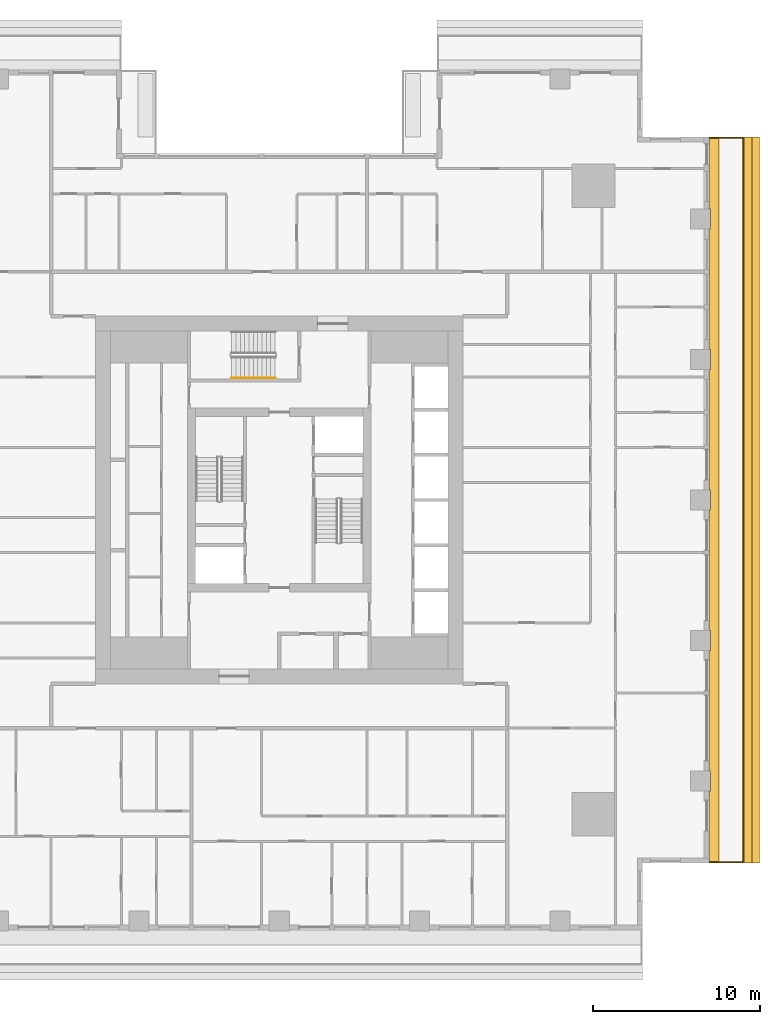
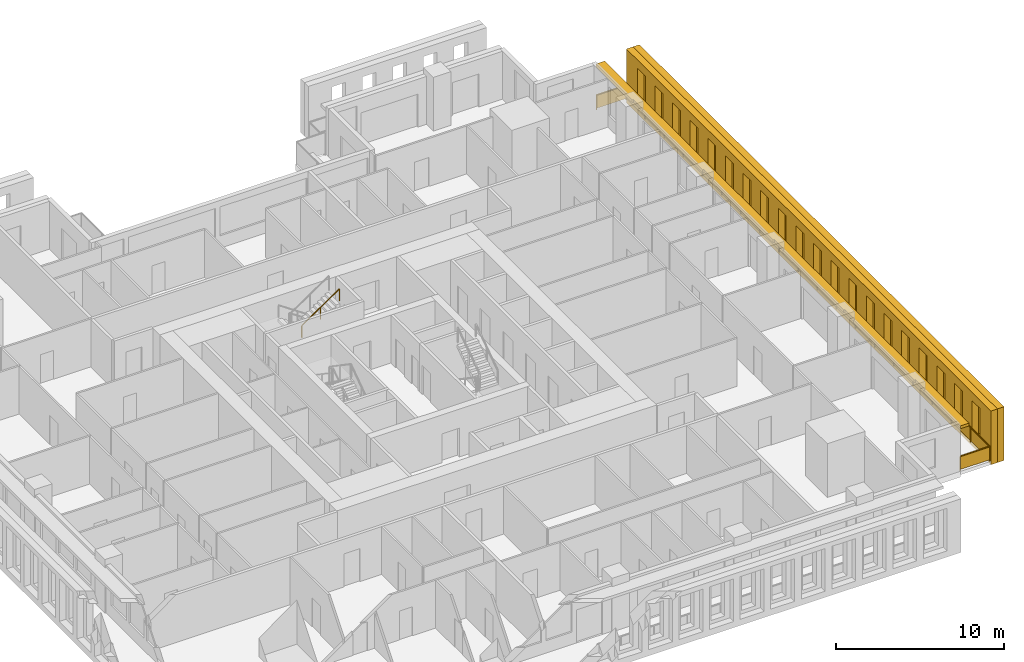
# One storey, part 14 of 16: 3 shading devices, 2 railings.
"""IFC4 building model written with IfcOpenShell, lengths in metres."""

from ifc_helpers import new_model, si_unit, direction, frame, origin, origin_2d, place, context, subcontext, project, spatial, polyline, rectangle, outline, extrude, material, layer, layer_set, type_object, element, save


model = new_model("IFC4")

# Units and contexts
model_context = context("Model", 3, precision=1e-05, world=origin(), true_north=direction((0.0, 1.0)))
body_context = subcontext(model_context, "Body", "Model", "MODEL_VIEW")
ifc_project = project(units=[si_unit("LENGTHUNIT", "METRE"), si_unit("AREAUNIT", "SQUARE_METRE"), si_unit("VOLUMEUNIT", "CUBIC_METRE"), si_unit("PLANEANGLEUNIT", "RADIAN"), si_unit("MASSUNIT", "GRAM", prefix="KILO")], contexts=[model_context])

# Site, building, storey
site_placement = place(None, origin())
site = spatial("IfcSite", under=ifc_project, at=site_placement, CompositionType="ELEMENT")
building_placement = place(site_placement, origin())
building = spatial("IfcBuilding", under=site, at=building_placement, Name="Khepri Terraces", CompositionType="ELEMENT")
storey_placement = place(building_placement, frame((0.0, 0.0, 157.199951171875)))
storey = spatial("IfcBuildingStorey", under=building, at=storey_placement, Name="L37", CompositionType="ELEMENT", Elevation=157.199951171875)

# Railings
ifc_material_1 = material(Name="Stainless steel grade 316", Category="steel")
railing_type_1 = type_object("IfcRailingType", Name="GRD-BAL-1100", PredefinedType="GUARDRAIL", material=ifc_material_1)
railing_1_placement = place(storey_placement, frame((25.719970703125, -21.669921875, 0.0)))
element("IfcRailing", 1, at=railing_1_placement, inside=storey, type_object=railing_type_1, Name="Balcony guard L37 E", PredefinedType="GUARDRAIL", context=body_context, shape_type="SweptSolid", body=[
    extrude(rectangle(XDim=0.050048828125, YDim=0.06005859375, at=origin_2d()), frame((0.0, 0.0, 1.070068359375), z_axis=(1.0, 0.0, 0.0), x_axis=(0.0, 1.0, 0.0)), (0.0, 0.0, 1.0), 2.050048828125),
    extrude(rectangle(XDim=2.0, YDim=0.011962890625, at=origin_2d()), frame((1.02490234375, 0.0, 0.10009765625), z_axis=(0.0, 0.0, 1.0), x_axis=(1.0, 0.0, 0.0)), (0.0, 0.0, 1.0), 0.93994140625),
    extrude(rectangle(XDim=0.050048828125, YDim=0.06005859375, at=origin_2d()), frame((2.050048828125, 0.0, 1.070068359375), z_axis=(0.0, 1.0, 0.0), x_axis=(-1.0, 0.0, 0.0)), (0.0, 0.0, 1.0), 43.33984375),
    extrude(rectangle(XDim=2.23095703125, YDim=0.011962890625, at=origin_2d()), frame((2.050048828125, 1.140625, 0.10009765625), z_axis=(0.0, 0.0, 1.0), x_axis=(0.0, 1.0, 0.0)), (0.0, 0.0, 1.0), 0.93994140625),
    extrude(rectangle(XDim=2.23095703125, YDim=0.011962890625, at=origin_2d()), frame((2.050048828125, 3.421630859375, 0.10009765625), z_axis=(0.0, 0.0, 1.0), x_axis=(0.0, 1.0, 0.0)), (0.0, 0.0, 1.0), 0.93994140625),
    extrude(rectangle(XDim=2.23095703125, YDim=0.011962890625, at=origin_2d()), frame((2.050048828125, 5.70263671875, 0.10009765625), z_axis=(0.0, 0.0, 1.0), x_axis=(0.0, 1.0, 0.0)), (0.0, 0.0, 1.0), 0.93994140625),
    extrude(rectangle(XDim=2.23095703125, YDim=0.011962890625, at=origin_2d()), frame((2.050048828125, 7.983642578125, 0.10009765625), z_axis=(0.0, 0.0, 1.0), x_axis=(0.0, 1.0, 0.0)), (0.0, 0.0, 1.0), 0.93994140625),
    extrude(rectangle(XDim=2.23095703125, YDim=0.011962890625, at=origin_2d()), frame((2.050048828125, 10.2646484375, 0.10009765625), z_axis=(0.0, 0.0, 1.0), x_axis=(0.0, 1.0, 0.0)), (0.0, 0.0, 1.0), 0.93994140625),
    extrude(rectangle(XDim=2.23095703125, YDim=0.011962890625, at=origin_2d()), frame((2.050048828125, 12.545654296875, 0.10009765625), z_axis=(0.0, 0.0, 1.0), x_axis=(0.0, 1.0, 0.0)), (0.0, 0.0, 1.0), 0.93994140625),
    extrude(rectangle(XDim=2.23095703125, YDim=0.011962890625, at=origin_2d()), frame((2.050048828125, 14.826904296875, 0.10009765625), z_axis=(0.0, 0.0, 1.0), x_axis=(0.0, 1.0, 0.0)), (0.0, 0.0, 1.0), 0.93994140625),
    extrude(rectangle(XDim=2.23095703125, YDim=0.011962890625, at=origin_2d()), frame((2.050048828125, 17.10791015625, 0.10009765625), z_axis=(0.0, 0.0, 1.0), x_axis=(0.0, 1.0, 0.0)), (0.0, 0.0, 1.0), 0.93994140625),
    extrude(rectangle(XDim=2.23095703125, YDim=0.011962890625, at=origin_2d()), frame((2.050048828125, 19.388916015625, 0.10009765625), z_axis=(0.0, 0.0, 1.0), x_axis=(0.0, 1.0, 0.0)), (0.0, 0.0, 1.0), 0.93994140625),
    extrude(rectangle(XDim=2.23095703125, YDim=0.011962890625, at=origin_2d()), frame((2.050048828125, 21.669921875, 0.10009765625), z_axis=(0.0, 0.0, 1.0), x_axis=(0.0, 1.0, 0.0)), (0.0, 0.0, 1.0), 0.93994140625),
    extrude(rectangle(XDim=2.23095703125, YDim=0.011962890625, at=origin_2d()), frame((2.050048828125, 23.950927734375, 0.10009765625), z_axis=(0.0, 0.0, 1.0), x_axis=(0.0, 1.0, 0.0)), (0.0, 0.0, 1.0), 0.93994140625),
    extrude(rectangle(XDim=2.23095703125, YDim=0.011962890625, at=origin_2d()), frame((2.050048828125, 26.23193359375, 0.10009765625), z_axis=(0.0, 0.0, 1.0), x_axis=(0.0, 1.0, 0.0)), (0.0, 0.0, 1.0), 0.93994140625),
    extrude(rectangle(XDim=2.23095703125, YDim=0.011962890625, at=origin_2d()), frame((2.050048828125, 28.512939453125, 0.10009765625), z_axis=(0.0, 0.0, 1.0), x_axis=(0.0, 1.0, 0.0)), (0.0, 0.0, 1.0), 0.93994140625),
    extrude(rectangle(XDim=2.23095703125, YDim=0.011962890625, at=origin_2d()), frame((2.050048828125, 30.794189453125, 0.10009765625), z_axis=(0.0, 0.0, 1.0), x_axis=(0.0, 1.0, 0.0)), (0.0, 0.0, 1.0), 0.93994140625),
    extrude(rectangle(XDim=2.23095703125, YDim=0.011962890625, at=origin_2d()), frame((2.050048828125, 33.0751953125, 0.10009765625), z_axis=(0.0, 0.0, 1.0), x_axis=(0.0, 1.0, 0.0)), (0.0, 0.0, 1.0), 0.93994140625),
    extrude(rectangle(XDim=2.23095703125, YDim=0.011962890625, at=origin_2d()), frame((2.050048828125, 35.356201171875, 0.10009765625), z_axis=(0.0, 0.0, 1.0), x_axis=(0.0, 1.0, 0.0)), (0.0, 0.0, 1.0), 0.93994140625),
    extrude(rectangle(XDim=2.23095703125, YDim=0.011962890625, at=origin_2d()), frame((2.050048828125, 37.63720703125, 0.10009765625), z_axis=(0.0, 0.0, 1.0), x_axis=(0.0, 1.0, 0.0)), (0.0, 0.0, 1.0), 0.93994140625),
    extrude(rectangle(XDim=2.23095703125, YDim=0.011962890625, at=origin_2d()), frame((2.050048828125, 39.918212890625, 0.10009765625), z_axis=(0.0, 0.0, 1.0), x_axis=(0.0, 1.0, 0.0)), (0.0, 0.0, 1.0), 0.93994140625),
    extrude(rectangle(XDim=2.23095703125, YDim=0.011962890625, at=origin_2d()), frame((2.050048828125, 42.19921875, 0.10009765625), z_axis=(0.0, 0.0, 1.0), x_axis=(0.0, 1.0, 0.0)), (0.0, 0.0, 1.0), 0.93994140625),
    extrude(rectangle(XDim=0.050048828125, YDim=0.06005859375, at=origin_2d()), frame((2.050048828125, 43.33984375, 1.070068359375), z_axis=(-1.0, 0.0, 0.0), x_axis=(0.0, -1.0, 0.0)), (0.0, 0.0, 1.0), 2.050048828125),
    extrude(rectangle(XDim=2.0, YDim=0.011962890625, at=origin_2d()), frame((1.02490234375, 43.33984375, 0.10009765625), z_axis=(0.0, 0.0, 1.0), x_axis=(-1.0, 0.0, 0.0)), (0.0, 0.0, 1.0), 0.93994140625),
    extrude(rectangle(XDim=0.050048828125, YDim=0.050048828125, at=origin_2d()), origin(), (0.0, 0.0, 1.0), 1.0400390625),
    extrude(rectangle(XDim=0.050048828125, YDim=0.050048828125, at=origin_2d()), frame((2.050048828125, 0.0, 0.0)), (0.0, 0.0, 1.0), 1.0400390625),
    extrude(rectangle(XDim=0.050048828125, YDim=0.050048828125, at=origin_2d()), frame((2.050048828125, 2.281005859375, 0.0)), (0.0, 0.0, 1.0), 1.0400390625),
    extrude(rectangle(XDim=0.050048828125, YDim=0.050048828125, at=origin_2d()), frame((2.050048828125, 4.56201171875, 0.0)), (0.0, 0.0, 1.0), 1.0400390625),
    extrude(rectangle(XDim=0.050048828125, YDim=0.050048828125, at=origin_2d()), frame((2.050048828125, 6.843017578125, 0.0)), (0.0, 0.0, 1.0), 1.0400390625),
    extrude(rectangle(XDim=0.050048828125, YDim=0.050048828125, at=origin_2d()), frame((2.050048828125, 9.124267578125, 0.0)), (0.0, 0.0, 1.0), 1.0400390625),
    extrude(rectangle(XDim=0.050048828125, YDim=0.050048828125, at=origin_2d()), frame((2.050048828125, 11.4052734375, 0.0)), (0.0, 0.0, 1.0), 1.0400390625),
    extrude(rectangle(XDim=0.050048828125, YDim=0.050048828125, at=origin_2d()), frame((2.050048828125, 13.686279296875, 0.0)), (0.0, 0.0, 1.0), 1.0400390625),
    extrude(rectangle(XDim=0.050048828125, YDim=0.050048828125, at=origin_2d()), frame((2.050048828125, 15.96728515625, 0.0)), (0.0, 0.0, 1.0), 1.0400390625),
    extrude(rectangle(XDim=0.050048828125, YDim=0.050048828125, at=origin_2d()), frame((2.050048828125, 18.248291015625, 0.0)), (0.0, 0.0, 1.0), 1.0400390625),
    extrude(rectangle(XDim=0.050048828125, YDim=0.050048828125, at=origin_2d()), frame((2.050048828125, 20.529296875, 0.0)), (0.0, 0.0, 1.0), 1.0400390625),
    extrude(rectangle(XDim=0.050048828125, YDim=0.050048828125, at=origin_2d()), frame((2.050048828125, 22.810546875, 0.0)), (0.0, 0.0, 1.0), 1.0400390625),
    extrude(rectangle(XDim=0.050048828125, YDim=0.050048828125, at=origin_2d()), frame((2.050048828125, 25.091552734375, 0.0)), (0.0, 0.0, 1.0), 1.0400390625),
    extrude(rectangle(XDim=0.050048828125, YDim=0.050048828125, at=origin_2d()), frame((2.050048828125, 27.37255859375, 0.0)), (0.0, 0.0, 1.0), 1.0400390625),
    extrude(rectangle(XDim=0.050048828125, YDim=0.050048828125, at=origin_2d()), frame((2.050048828125, 29.653564453125, 0.0)), (0.0, 0.0, 1.0), 1.0400390625),
    extrude(rectangle(XDim=0.050048828125, YDim=0.050048828125, at=origin_2d()), frame((2.050048828125, 31.9345703125, 0.0)), (0.0, 0.0, 1.0), 1.0400390625),
    extrude(rectangle(XDim=0.050048828125, YDim=0.050048828125, at=origin_2d()), frame((2.050048828125, 34.215576171875, 0.0)), (0.0, 0.0, 1.0), 1.0400390625),
    extrude(rectangle(XDim=0.050048828125, YDim=0.050048828125, at=origin_2d()), frame((2.050048828125, 36.496826171875, 0.0)), (0.0, 0.0, 1.0), 1.0400390625),
    extrude(rectangle(XDim=0.050048828125, YDim=0.050048828125, at=origin_2d()), frame((2.050048828125, 38.77783203125, 0.0)), (0.0, 0.0, 1.0), 1.0400390625),
    extrude(rectangle(XDim=0.050048828125, YDim=0.050048828125, at=origin_2d()), frame((2.050048828125, 41.058837890625, 0.0)), (0.0, 0.0, 1.0), 1.0400390625),
    extrude(rectangle(XDim=0.050048828125, YDim=0.050048828125, at=origin_2d()), frame((2.050048828125, 43.33984375, 0.0)), (0.0, 0.0, 1.0), 1.0400390625),
    extrude(rectangle(XDim=0.050048828125, YDim=0.050048828125, at=origin_2d()), frame((0.0, 43.33984375, 0.0)), (0.0, 0.0, 1.0), 1.0400390625),
])
ifc_material_2 = material(Name="Stainless steel 316", Category="steel")
railing_type_2 = type_object("IfcRailingType", Name="RL-CORE-HANDRAIL", PredefinedType="HANDRAIL", material=ifc_material_2)
railing_2_placement = place(storey_placement, frame((-2.85009765625, 7.300048828125, 2.12744140625)))
element("IfcRailing", 2, at=railing_2_placement, inside=storey, type_object=railing_type_2, Name="L37 ST-3 stair handrail 2", PredefinedType="HANDRAIL", context=body_context, shape_type="SweptSolid", body=[
    extrude(rectangle(XDim=0.050048828125, YDim=0.050048828125, at=origin_2d()), frame((0.0, 0.0, 0.875), z_axis=(0.826240473404, 0.0, 0.563317565952), x_axis=(0.0, 1.0, 0.0)), (0.0, 0.0, 1.0), 3.14697265625),
    extrude(rectangle(XDim=0.050048828125, YDim=0.050048828125, at=origin_2d()), origin(), (0.0, 0.0, 1.0), 0.849853515625),
    extrude(rectangle(XDim=0.050048828125, YDim=0.050048828125, at=origin_2d()), frame((1.300048828125, 0.0, 0.88623046875)), (0.0, 0.0, 1.0), 0.849853515625),
    extrude(rectangle(XDim=0.050048828125, YDim=0.050048828125, at=origin_2d()), frame((2.60009765625, 0.0, 1.772705078125)), (0.0, 0.0, 1.0), 0.849853515625),
])

# Shading devices
ifc_material_3 = material(Name="Precast concrete C50/60 warm stone", Category="masonry")
shading_device_type_1 = type_object("IfcShadingDeviceType", Name="SCR-CELL-INNER-450", PredefinedType="USERDEFINED", material=ifc_material_3)
shading_device_1_placement = place(storey_placement, frame((27.820068359375, -21.719970703125, -0.25), z_axis=(1.0, 0.0, 0.0), x_axis=(0.0, 1.0, 0.0)))
element("IfcShadingDevice", 3, at=shading_device_1_placement, inside=storey, type_object=shading_device_type_1, Name="Cell screen L37 E in", ObjectType="SCREEN", PredefinedType="USERDEFINED", context=body_context, shape_type="SweptSolid", body=[
    extrude(outline(polyline([(0.0, 0.0), (43.43994140625, 0.0), (43.43994140625, 3.89990234375), (0.0, 3.89990234375), (0.0, 0.0)]), holes=[polyline([(1.297607421875, 0.699951171875), (2.242431640625, 0.699951171875), (2.242431640625, 3.300048828125), (1.297607421875, 3.300048828125), (1.297607421875, 0.699951171875)]), polyline([(3.3974609375, 0.699951171875), (4.342529296875, 0.699951171875), (4.342529296875, 3.300048828125), (3.3974609375, 3.300048828125), (3.3974609375, 0.699951171875)]), polyline([(5.49755859375, 0.699951171875), (6.4423828125, 0.699951171875), (6.4423828125, 3.300048828125), (5.49755859375, 3.300048828125), (5.49755859375, 0.699951171875)]), polyline([(7.597412109375, 0.699951171875), (8.54248046875, 0.699951171875), (8.54248046875, 3.300048828125), (7.597412109375, 3.300048828125), (7.597412109375, 0.699951171875)]), polyline([(9.697509765625, 0.699951171875), (10.642578125, 0.699951171875), (10.642578125, 3.300048828125), (9.697509765625, 3.300048828125), (9.697509765625, 0.699951171875)]), polyline([(11.797607421875, 0.699951171875), (12.742431640625, 0.699951171875), (12.742431640625, 3.300048828125), (11.797607421875, 3.300048828125), (11.797607421875, 0.699951171875)]), polyline([(13.8974609375, 0.699951171875), (14.842529296875, 0.699951171875), (14.842529296875, 3.300048828125), (13.8974609375, 3.300048828125), (13.8974609375, 0.699951171875)]), polyline([(15.99755859375, 0.699951171875), (16.9423828125, 0.699951171875), (16.9423828125, 3.300048828125), (15.99755859375, 3.300048828125), (15.99755859375, 0.699951171875)]), polyline([(18.097412109375, 0.699951171875), (19.04248046875, 0.699951171875), (19.04248046875, 3.300048828125), (18.097412109375, 3.300048828125), (18.097412109375, 0.699951171875)]), polyline([(20.197509765625, 0.699951171875), (21.142578125, 0.699951171875), (21.142578125, 3.300048828125), (20.197509765625, 3.300048828125), (20.197509765625, 0.699951171875)]), polyline([(22.297607421875, 0.699951171875), (23.242431640625, 0.699951171875), (23.242431640625, 3.300048828125), (22.297607421875, 3.300048828125), (22.297607421875, 0.699951171875)]), polyline([(24.3974609375, 0.699951171875), (25.342529296875, 0.699951171875), (25.342529296875, 3.300048828125), (24.3974609375, 3.300048828125), (24.3974609375, 0.699951171875)]), polyline([(26.49755859375, 0.699951171875), (27.4423828125, 0.699951171875), (27.4423828125, 3.300048828125), (26.49755859375, 3.300048828125), (26.49755859375, 0.699951171875)]), polyline([(28.597412109375, 0.699951171875), (29.54248046875, 0.699951171875), (29.54248046875, 3.300048828125), (28.597412109375, 3.300048828125), (28.597412109375, 0.699951171875)]), polyline([(30.697509765625, 0.699951171875), (31.642578125, 0.699951171875), (31.642578125, 3.300048828125), (30.697509765625, 3.300048828125), (30.697509765625, 0.699951171875)]), polyline([(32.797607421875, 0.699951171875), (33.742431640625, 0.699951171875), (33.742431640625, 3.300048828125), (32.797607421875, 3.300048828125), (32.797607421875, 0.699951171875)]), polyline([(34.8974609375, 0.699951171875), (35.842529296875, 0.699951171875), (35.842529296875, 3.300048828125), (34.8974609375, 3.300048828125), (34.8974609375, 0.699951171875)]), polyline([(36.99755859375, 0.699951171875), (37.9423828125, 0.699951171875), (37.9423828125, 3.300048828125), (36.99755859375, 3.300048828125), (36.99755859375, 0.699951171875)]), polyline([(39.097412109375, 0.699951171875), (40.04248046875, 0.699951171875), (40.04248046875, 3.300048828125), (39.097412109375, 3.300048828125), (39.097412109375, 0.699951171875)]), polyline([(41.197509765625, 0.699951171875), (42.142578125, 0.699951171875), (42.142578125, 3.300048828125), (41.197509765625, 3.300048828125), (41.197509765625, 0.699951171875)])]), origin(), (0.0, 0.0, 1.0), 0.449951171875),
])
shading_device_type_2 = type_object("IfcShadingDeviceType", Name="SCR-CELL-OUTER-450", PredefinedType="USERDEFINED", material=ifc_material_3)
shading_device_2_placement = place(storey_placement, frame((28.27001953125, -21.719970703125, -0.25), z_axis=(1.0, 0.0, 0.0), x_axis=(0.0, 1.0, 0.0)))
element("IfcShadingDevice", 4, at=shading_device_2_placement, inside=storey, type_object=shading_device_type_2, Name="Cell screen L37 E out", ObjectType="SCREEN", PredefinedType="USERDEFINED", context=body_context, shape_type="SweptSolid", body=[
    extrude(outline(polyline([(0.0, 0.0), (43.43994140625, 0.0), (43.43994140625, 3.89990234375), (0.0, 3.89990234375), (0.0, 0.0)]), holes=[polyline([(0.947509765625, 0.449951171875), (2.592529296875, 0.449951171875), (2.592529296875, 3.550048828125), (0.947509765625, 3.550048828125), (0.947509765625, 0.449951171875)]), polyline([(3.047607421875, 0.449951171875), (4.6923828125, 0.449951171875), (4.6923828125, 3.550048828125), (3.047607421875, 3.550048828125), (3.047607421875, 0.449951171875)]), polyline([(5.1474609375, 0.449951171875), (6.79248046875, 0.449951171875), (6.79248046875, 3.550048828125), (5.1474609375, 3.550048828125), (5.1474609375, 0.449951171875)]), polyline([(7.24755859375, 0.449951171875), (8.892578125, 0.449951171875), (8.892578125, 3.550048828125), (7.24755859375, 3.550048828125), (7.24755859375, 0.449951171875)]), polyline([(9.347412109375, 0.449951171875), (10.992431640625, 0.449951171875), (10.992431640625, 3.550048828125), (9.347412109375, 3.550048828125), (9.347412109375, 0.449951171875)]), polyline([(11.447509765625, 0.449951171875), (13.092529296875, 0.449951171875), (13.092529296875, 3.550048828125), (11.447509765625, 3.550048828125), (11.447509765625, 0.449951171875)]), polyline([(13.547607421875, 0.449951171875), (15.1923828125, 0.449951171875), (15.1923828125, 3.550048828125), (13.547607421875, 3.550048828125), (13.547607421875, 0.449951171875)]), polyline([(15.6474609375, 0.449951171875), (17.29248046875, 0.449951171875), (17.29248046875, 3.550048828125), (15.6474609375, 3.550048828125), (15.6474609375, 0.449951171875)]), polyline([(17.74755859375, 0.449951171875), (19.392578125, 0.449951171875), (19.392578125, 3.550048828125), (17.74755859375, 3.550048828125), (17.74755859375, 0.449951171875)]), polyline([(19.847412109375, 0.449951171875), (21.492431640625, 0.449951171875), (21.492431640625, 3.550048828125), (19.847412109375, 3.550048828125), (19.847412109375, 0.449951171875)]), polyline([(21.947509765625, 0.449951171875), (23.592529296875, 0.449951171875), (23.592529296875, 3.550048828125), (21.947509765625, 3.550048828125), (21.947509765625, 0.449951171875)]), polyline([(24.047607421875, 0.449951171875), (25.6923828125, 0.449951171875), (25.6923828125, 3.550048828125), (24.047607421875, 3.550048828125), (24.047607421875, 0.449951171875)]), polyline([(26.1474609375, 0.449951171875), (27.79248046875, 0.449951171875), (27.79248046875, 3.550048828125), (26.1474609375, 3.550048828125), (26.1474609375, 0.449951171875)]), polyline([(28.24755859375, 0.449951171875), (29.892578125, 0.449951171875), (29.892578125, 3.550048828125), (28.24755859375, 3.550048828125), (28.24755859375, 0.449951171875)]), polyline([(30.347412109375, 0.449951171875), (31.992431640625, 0.449951171875), (31.992431640625, 3.550048828125), (30.347412109375, 3.550048828125), (30.347412109375, 0.449951171875)]), polyline([(32.447509765625, 0.449951171875), (34.092529296875, 0.449951171875), (34.092529296875, 3.550048828125), (32.447509765625, 3.550048828125), (32.447509765625, 0.449951171875)]), polyline([(34.547607421875, 0.449951171875), (36.1923828125, 0.449951171875), (36.1923828125, 3.550048828125), (34.547607421875, 3.550048828125), (34.547607421875, 0.449951171875)]), polyline([(36.6474609375, 0.449951171875), (38.29248046875, 0.449951171875), (38.29248046875, 3.550048828125), (36.6474609375, 3.550048828125), (36.6474609375, 0.449951171875)]), polyline([(38.74755859375, 0.449951171875), (40.392578125, 0.449951171875), (40.392578125, 3.550048828125), (38.74755859375, 3.550048828125), (38.74755859375, 0.449951171875)]), polyline([(40.847412109375, 0.449951171875), (42.492431640625, 0.449951171875), (42.492431640625, 3.550048828125), (40.847412109375, 3.550048828125), (40.847412109375, 0.449951171875)])]), origin(), (0.0, 0.0, 1.0), 0.449951171875),
])
ifc_layer = layer(ifc_material_3, 0.199951171875, Name="Precast concrete C50/60 warm stone", Category="masonry")
ifc_layer_set = layer_set([ifc_layer], Name="Precast concrete C50/60 warm stone")
shading_device_type_3 = type_object("IfcShadingDeviceType", Name="SSH-BAND-STONE-200-N", PredefinedType="USERDEFINED", material=ifc_layer_set)
shading_device_3_placement = place(storey_placement, frame((0.0, 0.0, 3.10009765625)))
element("IfcShadingDevice", 5, at=shading_device_3_placement, inside=storey, type_object=shading_device_type_3, Name="Sunshade band L37 E", ObjectType="SUNSHADE", PredefinedType="USERDEFINED", context=body_context, shape_type="SweptSolid", body=[
    extrude(outline(polyline([(25.719970703125, -17.39990234375), (25.719970703125, -21.719970703125), (26.320068359375, -21.719970703125), (26.320068359375, 21.719970703125), (25.719970703125, 21.719970703125), (25.719970703125, 17.39990234375), (25.800048828125, 17.39990234375), (25.800048828125, 16.199951171875), (25.719970703125, 16.199951171875), (25.719970703125, 9.0), (25.800048828125, 9.0), (25.800048828125, 7.800048828125), (25.719970703125, 7.800048828125), (25.719970703125, 0.60009765625), (25.800048828125, 0.60009765625), (25.800048828125, -0.60009765625), (25.719970703125, -0.60009765625), (25.719970703125, -7.800048828125), (25.800048828125, -7.800048828125), (25.800048828125, -9.0), (25.719970703125, -9.0), (25.719970703125, -16.199951171875), (25.800048828125, -16.199951171875), (25.800048828125, -17.39990234375), (25.719970703125, -17.39990234375)])), origin(), (0.0, 0.0, 1.0), 0.199951171875),
])

save(model, "model.ifc")
